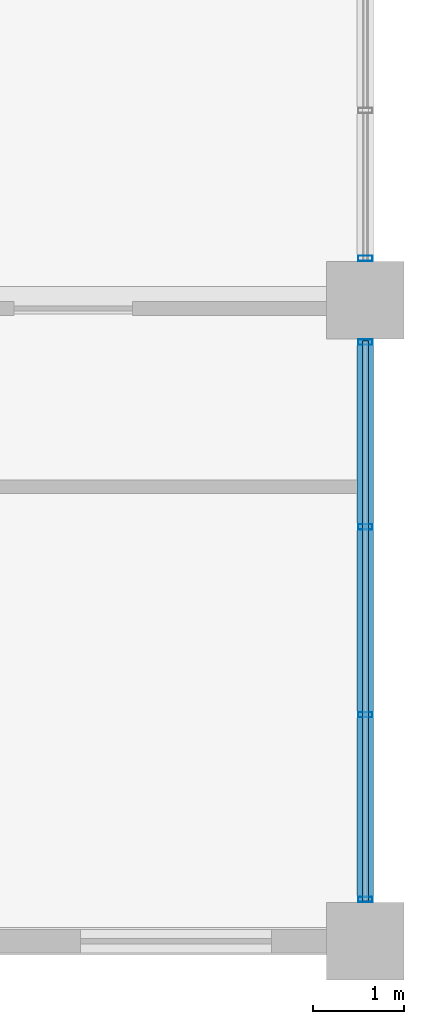
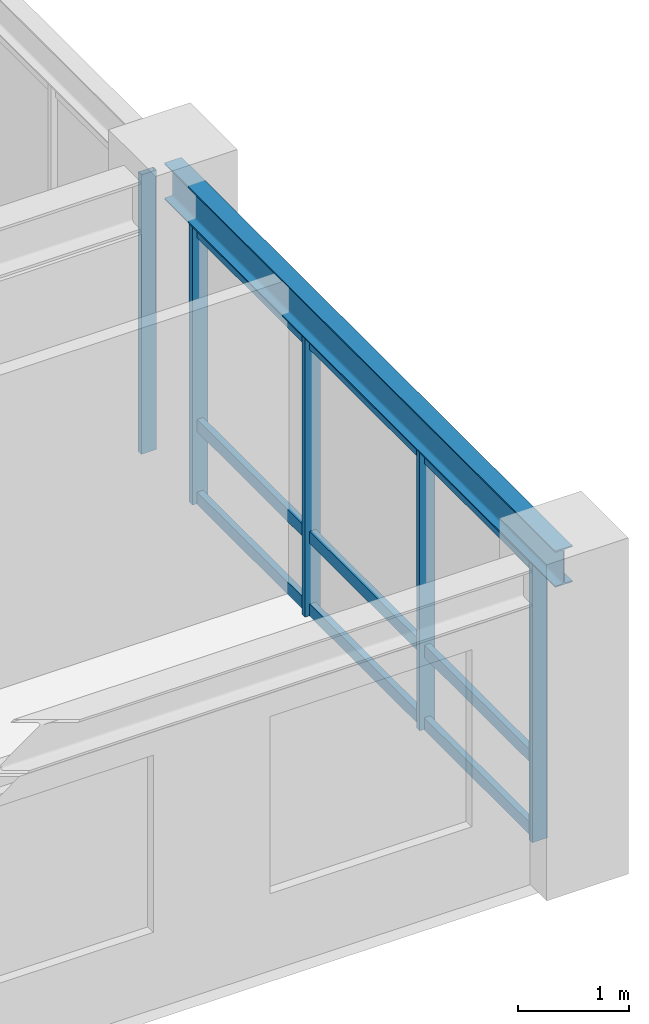
# One storey, part 2 of 11: 8 members, 1 beam, 2 elements without a shape of their own.
"""IFC4 building model written with IfcOpenShell, lengths in metres."""

import ifcopenshell
import ifcopenshell.guid

model = None  # the IFC model being written
_history = None  # IfcOwnerHistory: only IFC2X3 demands one
_inside = {}  # id of a spatial element -> (the spatial element, [elements in it])
_under = {}  # id of a project, library or spatial element -> (it, [spatial elements below it])
_declared = {}  # id of a project -> (the project, [libraries it declares])
_typed = {}  # id of a type object -> (the type object, [elements of that type])
_made_of = {}  # id of a material, layer set ... -> (it, [elements and type objects made of it])


def new_model(schema):
    """Start an empty IFC model of exactly this schema.

    Asked for "IFC4X3", IfcOpenShell would pick the latest addendum, in which some entities
    have other attributes; the version numbers below select the first issue.
    IFC2X3 requires an IfcOwnerHistory on every rooted entity: one is made here for all.
    """
    global model, _history
    if schema == "IFC4X3":
        model = ifcopenshell.file(schema_version=(4, 3, 0, 0))
    else:
        model = ifcopenshell.file(schema=schema)
    _inside.clear()
    _under.clear()
    _declared.clear()
    _typed.clear()
    _made_of.clear()
    _history = None
    if model.schema == "IFC2X3":
        org = make("IfcOrganization", Name="unknown")
        user = make(
            "IfcPersonAndOrganization",
            ThePerson=make("IfcPerson", FamilyName="unknown"),
            TheOrganization=org,
        )
        app = make(
            "IfcApplication",
            ApplicationDeveloper=org,
            Version="unknown",
            ApplicationFullName="unknown",
            ApplicationIdentifier="unknown",
        )
        _history = make(
            "IfcOwnerHistory",
            OwningUser=user,
            OwningApplication=app,
            ChangeAction="ADDED",
            CreationDate=0,
        )
    return model


def make(cls, **values):
    """One entity of the class cls with the attributes given. An attribute that is None is left unset."""
    return model.create_entity(
        cls, **{name: value for name, value in values.items() if value is not None}
    )


def rooted(cls, **values):
    """An entity with a GlobalId (a new one), such as an element, a storey or a relation."""
    return make(cls, GlobalId=ifcopenshell.guid.new(), OwnerHistory=_history, **values)


def si_unit(unit_type, name, prefix=None):
    """IfcSIUnit, for example si_unit("LENGTHUNIT", "METRE", prefix="MILLI")."""
    return make("IfcSIUnit", UnitType=unit_type, Prefix=prefix, Name=name)


def assignment(units):
    """IfcUnitAssignment: the units of a project."""
    return None if units is None else make("IfcUnitAssignment", Units=units)


def point(xyz):
    """IfcCartesianPoint."""
    return None if xyz is None else make("IfcCartesianPoint", Coordinates=xyz)


def direction(xyz):
    """IfcDirection."""
    return None if xyz is None else make("IfcDirection", DirectionRatios=xyz)


def frame(location, z_axis=None, x_axis=None):
    """IfcAxis2Placement3D, a coordinate frame: its origin and axes. An axis left out is left unset."""
    return make(
        "IfcAxis2Placement3D",
        Location=point(location),
        Axis=direction(z_axis),
        RefDirection=direction(x_axis),
    )


def frame_2d(location, x_axis=None):
    """IfcAxis2Placement2D, a coordinate frame in the plane: its origin and x axis."""
    return make(
        "IfcAxis2Placement2D", Location=point(location), RefDirection=direction(x_axis)
    )


def origin():
    """The frame at (0, 0, 0) with its axes left unset."""
    return frame((0.0, 0.0, 0.0))


def origin_2d():
    """The frame at (0, 0) in the plane with its x axis left unset."""
    return frame_2d((0.0, 0.0))


def place(relative_to, where):
    """IfcLocalPlacement: puts the frame where relative to a parent placement (None: the world)."""
    return make(
        "IfcLocalPlacement", PlacementRelTo=relative_to, RelativePlacement=where
    )


def context(
    kind, dimensions, precision=None, world=None, true_north=None, identifier=None
):
    """IfcGeometricRepresentationContext, for example the 3D "Model" context."""
    return make(
        "IfcGeometricRepresentationContext",
        ContextIdentifier=identifier,
        ContextType=kind,
        CoordinateSpaceDimension=dimensions,
        Precision=precision,
        WorldCoordinateSystem=world,
        TrueNorth=true_north,
    )


def subcontext(parent, identifier, kind, view, scale=None):
    """IfcGeometricRepresentationSubContext, for example "Body" below "Model"."""
    return make(
        "IfcGeometricRepresentationSubContext",
        ContextIdentifier=identifier,
        ContextType=kind,
        ParentContext=parent,
        TargetScale=scale,
        TargetView=view,
    )


def project(units=None, contexts=None):
    """IfcProject with its units and contexts."""
    return rooted(
        "IfcProject",
        Name="project",
        RepresentationContexts=contexts,
        UnitsInContext=assignment(units),
    )


def spatial(cls, under=None, at=None, **own):
    """A site, building, storey or space (cls), placed at a placement, below another one or the project."""
    s = rooted(cls, ObjectPlacement=at, **own)
    if under is not None:
        _under.setdefault(under.id(), (under, []))[1].append(s)
    return s


def profile(cls, at=None, kind="AREA", **sizes):
    """A parametric profile (cls). Its sizes go by their IFC names, for example OverallWidth=200.0."""
    return make(cls, ProfileType=kind, Position=at, **sizes)


def hollow_rectangle(**sizes):
    """IfcRectangleHollowProfileDef."""
    return profile("IfcRectangleHollowProfileDef", **sizes)


def i_section(**sizes):
    """IfcIShapeProfileDef."""
    return profile("IfcIShapeProfileDef", **sizes)


def extrude(swept, where, along, depth):
    """IfcExtrudedAreaSolid: the profile swept, set in the frame where, extruded along a direction by depth."""
    return make(
        "IfcExtrudedAreaSolid",
        SweptArea=swept,
        Position=where,
        ExtrudedDirection=direction(along),
        Depth=depth,
    )


def shape(context_of_items, identifier, shape_type, items):
    """IfcShapeRepresentation: the items that make up one representation, for example the "Body"."""
    return make(
        "IfcShapeRepresentation",
        ContextOfItems=context_of_items,
        RepresentationIdentifier=identifier,
        RepresentationType=shape_type,
        Items=items,
    )


def source(mapping_origin, context_of_items, identifier, shape_type, items):
    """IfcRepresentationMap: a shape defined once, which mapped items show again and again."""
    return make(
        "IfcRepresentationMap",
        MappingOrigin=mapping_origin,
        MappedRepresentation=shape(context_of_items, identifier, shape_type, items),
    )


def transform(
    local_origin,
    x_axis=None,
    y_axis=None,
    z_axis=None,
    scale=None,
    scale2=None,
    scale3=None,
    uniform=True,
):
    """IfcCartesianTransformationOperator3D, or its non-uniform kind. x_axis, y_axis, z_axis: its Axis1, 2, 3."""
    if uniform:
        return make(
            "IfcCartesianTransformationOperator3D",
            Axis1=direction(x_axis),
            Axis2=direction(y_axis),
            LocalOrigin=point(local_origin),
            Scale=scale,
            Axis3=direction(z_axis),
        )
    return make(
        "IfcCartesianTransformationOperator3DnonUniform",
        Axis1=direction(x_axis),
        Axis2=direction(y_axis),
        LocalOrigin=point(local_origin),
        Scale=scale,
        Axis3=direction(z_axis),
        Scale2=scale2,
        Scale3=scale3,
    )


def mapped(mapping_source, mapping_target):
    """IfcMappedItem: shows the shape of a source again, moved by a transform."""
    return make(
        "IfcMappedItem", MappingSource=mapping_source, MappingTarget=mapping_target
    )


def material(Name=None, Category=None):
    """IfcMaterial."""
    return make("IfcMaterial", Name=Name, Category=Category)


def layer(
    of_material, thickness, ventilated=None, Name=None, Category=None, Priority=None
):
    """IfcMaterialLayer: one layer of a wall or slab, of a material (None: an air gap)."""
    return make(
        "IfcMaterialLayer",
        Material=of_material,
        LayerThickness=thickness,
        IsVentilated=ventilated,
        Name=Name,
        Category=Category,
        Priority=Priority,
    )


def layer_set(layers, Name=None):
    """IfcMaterialLayerSet."""
    return make("IfcMaterialLayerSet", MaterialLayers=layers, LayerSetName=Name)


def material_profile(
    of_material, cross_section, Name=None, Category=None, Priority=None
):
    """IfcMaterialProfile: a cross section and its material."""
    return make(
        "IfcMaterialProfile",
        Name=Name,
        Material=of_material,
        Profile=cross_section,
        Priority=Priority,
        Category=Category,
    )


def profile_set(profiles, Name=None, composite=None):
    """IfcMaterialProfileSet."""
    return make(
        "IfcMaterialProfileSet",
        Name=Name,
        MaterialProfiles=profiles,
        CompositeProfile=composite,
    )


def made_of(thing, what):
    """Note that an element or type object is made of a material, layer set ...; save() writes the relation."""
    if what is not None:
        _made_of.setdefault(what.id(), (what, []))[1].append(thing)
    return thing


def type_object(cls, material=None, **own):
    """A type object (cls), such as IfcWallType, which elements share."""
    return made_of(rooted(cls, **own), material)


def element(
    cls,
    number,
    at=None,
    inside=None,
    cuts=None,
    type_object=None,
    material=None,
    context=None,
    identifier="Body",
    shape_type=None,
    held_by="IfcProductDefinitionShape",
    body=None,
    shapes=None,
    **own,
):
    """One element of the class cls, such as IfcWall. Its Tag is "e" and its number.

    at: its placement. inside: the storey or other place that contains it. cuts: it is an
    opening in that element (IfcRelVoidsElement). A single representation is given by context,
    identifier, shape_type and body (its items); several are given by shapes. held_by: the class
    of the entity that holds the representations. save() writes the other relations.
    """
    e = rooted(cls, Tag="e%d" % number, ObjectPlacement=at, **own)
    if body is not None:
        shapes = [shape(context, identifier, shape_type, body)]
    if shapes is not None:
        e.Representation = make(held_by, Representations=shapes)
    if inside is not None:
        _inside.setdefault(inside.id(), (inside, []))[1].append(e)
    if cuts is not None:
        rooted(
            "IfcRelVoidsElement", RelatingBuildingElement=cuts, RelatedOpeningElement=e
        )
    if type_object is not None:
        _typed.setdefault(type_object.id(), (type_object, []))[1].append(e)
    return made_of(e, material)


def aggregate(whole, parts):
    """IfcRelAggregates: a whole, such as a stair, and the parts it consists of."""
    return rooted("IfcRelAggregates", RelatingObject=whole, RelatedObjects=parts)


def save(model, path):
    """Write the relations noted so far, then the file.

    IfcRelAggregates (storeys below a building ...), IfcRelContainedInSpatialStructure (elements
    in a storey), IfcRelDefinesByType, IfcRelAssociatesMaterial and IfcRelDeclares: one each for
    every whole, place, type object, material and project.
    """
    for whole, parts in _under.values():
        aggregate(whole, parts)
    for where, things in _inside.values():
        rooted(
            "IfcRelContainedInSpatialStructure",
            RelatedElements=things,
            RelatingStructure=where,
        )
    for kind, things in _typed.values():
        rooted("IfcRelDefinesByType", RelatedObjects=things, RelatingType=kind)
    for what, things in _made_of.values():
        rooted("IfcRelAssociatesMaterial", RelatedObjects=things, RelatingMaterial=what)
    for by, libraries in _declared.values():
        rooted("IfcRelDeclares", RelatingContext=by, RelatedDefinitions=libraries)
    model.write(path)


model = new_model("IFC4")

# Units and contexts
model_context = context("Model", 3, precision=1e-05, world=origin(), true_north=direction((0.0, 1.0)))
body_context = subcontext(model_context, "Body", "Model", "MODEL_VIEW")
ifc_project = project(units=[si_unit("LENGTHUNIT", "METRE"), si_unit("AREAUNIT", "SQUARE_METRE"), si_unit("VOLUMEUNIT", "CUBIC_METRE"), si_unit("PLANEANGLEUNIT", "RADIAN"), si_unit("MASSUNIT", "GRAM", prefix="KILO")], contexts=[model_context])

# Site, building, storey
site_placement = place(None, origin())
site = spatial("IfcSite", under=ifc_project, at=site_placement, CompositionType="ELEMENT")
building_placement = place(site_placement, origin())
building = spatial("IfcBuilding", under=site, at=building_placement, Name="Kaliganga Portal Commons", CompositionType="ELEMENT")
storey_placement = place(building_placement, frame((0.0, 0.0, 257.300048828125)))
storey = spatial("IfcBuildingStorey", under=building, at=storey_placement, Name="L66", CompositionType="ELEMENT", Elevation=257.300048828125)

# Beam
ifc_material_1 = material(Name="Structural steel S355J2", Category="steel")
ifc_material_profile_1 = material_profile(ifc_material_1, i_section(OverallWidth=0.179931640625, OverallDepth=0.39990234375, WebThickness=0.008544921875, FlangeThickness=0.013427734375, FilletRadius=0.02099609375, at=origin_2d()), Name="IPE 400")
ifc_profile_set_1 = profile_set([ifc_material_profile_1], Name="Structural steel S355J2 wide-flange")
beam_type = type_object("IfcBeamType", Name="BM-FLR-400", PredefinedType="BEAM", material=ifc_profile_set_1)
shared_shape_1 = source(origin(), body_context, "Body", "SweptSolid", [
    extrude(i_section(OverallWidth=0.179931640625, OverallDepth=0.39990234375, WebThickness=0.008544921875, FlangeThickness=0.013427734375, FilletRadius=0.02099609375, at=origin_2d()), origin(), (0.0, 0.0, 1.0), 7.0498046875),
])
beam_placement = place(storey_placement, frame((46.800048828125, 21.60009765625, 3.27490234375), z_axis=(0.0, 1.0, 0.0), x_axis=(-1.0, 0.0, 0.0)))
element("IfcBeam", 1, at=beam_placement, inside=storey, type_object=beam_type, Name="BM G L66 AS468", PredefinedType="BEAM", context=body_context, shape_type="MappedRepresentation", body=[
    mapped(shared_shape_1, transform((0.0, 0.0, 0.0), x_axis=(1.0, 0.0, 0.0), y_axis=(0.0, 1.0, 0.0), z_axis=(0.0, 0.0, 1.0), scale=1.0)),
])

# Curtain wall, members
ifc_material_2 = material(Name="Anodized Aluminium and Laminated Low-E Glass", Category="aluminium")
ifc_layer = layer(ifc_material_2, 0.18994140625)
ifc_layer_set = layer_set([ifc_layer], Name="Anodized Aluminium and Laminated Low-E Glass")
curtain_wall_type = type_object("IfcCurtainWallType", Name="CW-SYS-05", PredefinedType="NOTDEFINED", material=ifc_layer_set)
curtain_wall_1_placement = place(storey_placement, origin())
curtain_wall_1 = element("IfcCurtainWall", 2, at=curtain_wall_1_placement, inside=storey, type_object=curtain_wall_type, Name="CW 05 L66 P1E01S1", PredefinedType="NOTDEFINED")
ifc_material_3 = material(Name="Dark Bronze Anodized Aluminium", Category="aluminium")
ifc_material_profile_2 = material_profile(ifc_material_3, hollow_rectangle(XDim=0.06005859375, YDim=0.159912109375, WallThickness=0.00341796875, at=origin_2d()), Name="ALU MULL 60x160x3.5")
ifc_profile_set_2 = profile_set([ifc_material_profile_2], Name="Dark Bronze Anodized Aluminium")
member_type_1 = type_object("IfcMemberType", Name="CW-MUL-160", PredefinedType="MULLION", material=ifc_profile_set_2)
shared_shape_2 = source(origin(), body_context, "Body", "SweptSolid", [
    extrude(hollow_rectangle(XDim=0.06005859375, YDim=0.159912109375, WallThickness=0.00341796875, at=origin_2d()), origin(), (0.0, 0.0, 1.0), 3.074951171875),
])
member_1_placement = place(storey_placement, frame((46.800048828125, 22.06103515625, 0.0), z_axis=(0.0, 0.0, 1.0), x_axis=(0.0, 1.0, 0.0)))
member_1 = element("IfcMember", 3, at=member_1_placement, type_object=member_type_1, Name="CW:05:L66:P1E01S1 Mullion 00", PredefinedType="MULLION", context=body_context, shape_type="MappedRepresentation", body=[
    mapped(shared_shape_2, transform((0.0, 0.0, 0.0), x_axis=(1.0, 0.0, 0.0), y_axis=(0.0, 1.0, 0.0), z_axis=(0.0, 0.0, 1.0), scale=1.0)),
])
member_2_placement = place(storey_placement, frame((46.800048828125, 24.092041015625, 0.0), z_axis=(0.0, 0.0, 1.0), x_axis=(0.0, 1.0, 0.0)))
member_2 = element("IfcMember", 4, at=member_2_placement, type_object=member_type_1, Name="CW:05:L66:P1E01S1 Mullion 01", PredefinedType="MULLION", context=body_context, shape_type="MappedRepresentation", body=[
    mapped(shared_shape_2, transform((0.0, 0.0, 0.0), x_axis=(1.0, 0.0, 0.0), y_axis=(0.0, 1.0, 0.0), z_axis=(0.0, 0.0, 1.0), scale=1.0)),
])
member_3_placement = place(storey_placement, frame((46.800048828125, 26.157958984375, 0.0), z_axis=(0.0, 0.0, 1.0), x_axis=(0.0, 1.0, 0.0)))
member_3 = element("IfcMember", 5, at=member_3_placement, type_object=member_type_1, Name="CW:05:L66:P1E01S1 Mullion 02", PredefinedType="MULLION", context=body_context, shape_type="MappedRepresentation", body=[
    mapped(shared_shape_2, transform((0.0, 0.0, 0.0), x_axis=(1.0, 0.0, 0.0), y_axis=(0.0, 1.0, 0.0), z_axis=(0.0, 0.0, 1.0), scale=1.0)),
])
member_4_placement = place(storey_placement, frame((46.800048828125, 28.18896484375, 0.0), z_axis=(0.0, 0.0, 1.0), x_axis=(0.0, 1.0, 0.0)))
member_4 = element("IfcMember", 6, at=member_4_placement, type_object=member_type_1, Name="CW:05:L66:P1E01S1 Mullion 03", PredefinedType="MULLION", context=body_context, shape_type="MappedRepresentation", body=[
    mapped(shared_shape_2, transform((0.0, 0.0, 0.0), x_axis=(1.0, 0.0, 0.0), y_axis=(0.0, 1.0, 0.0), z_axis=(0.0, 0.0, 1.0), scale=1.0)),
])

# Curtain wall, member
curtain_wall_2_placement = place(storey_placement, origin())
curtain_wall_2 = element("IfcCurtainWall", 7, at=curtain_wall_2_placement, inside=storey, type_object=curtain_wall_type, Name="CW 05 L66 P1E01S2", PredefinedType="NOTDEFINED")
member_5_placement = place(storey_placement, frame((46.800048828125, 29.111083984375, 0.0), z_axis=(0.0, 0.0, 1.0), x_axis=(0.0, 1.0, 0.0)))
member_5 = element("IfcMember", 8, at=member_5_placement, type_object=member_type_1, Name="CW:05:L66:P1E01S2 Mullion 00", PredefinedType="MULLION", context=body_context, shape_type="MappedRepresentation", body=[
    mapped(shared_shape_2, transform((0.0, 0.0, 0.0), x_axis=(1.0, 0.0, 0.0), y_axis=(0.0, 1.0, 0.0), z_axis=(0.0, 0.0, 1.0), scale=1.0)),
])
aggregate(curtain_wall_2, [member_5])

# Member
ifc_material_profile_3 = material_profile(ifc_material_3, hollow_rectangle(XDim=0.06494140625, YDim=0.135009765625, WallThickness=0.00341796875, at=origin_2d()), Name="ALU TRAN 65x135x3.5")
ifc_profile_set_3 = profile_set([ifc_material_profile_3], Name="Dark Bronze Anodized Aluminium")
member_type_2 = type_object("IfcMemberType", Name="CW-TRN-135", PredefinedType="USERDEFINED", material=ifc_profile_set_3)
shared_shape_3 = source(origin(), body_context, "Body", "SweptSolid", [
    extrude(hollow_rectangle(XDim=0.06494140625, YDim=0.135009765625, WallThickness=0.00341796875, at=origin_2d()), origin(), (0.0, 0.0, 1.0), 6.158203125),
])
member_6_placement = place(storey_placement, frame((46.800048828125, 22.0458984375, 0.06005859375), z_axis=(0.0, 1.0, 0.0), x_axis=(-1.0, 0.0, 0.0)))
member_6 = element("IfcMember", 9, at=member_6_placement, type_object=member_type_2, Name="CW:05:L66:P1E01S1 Transom 1", ObjectType="TRANSOM", PredefinedType="USERDEFINED", context=body_context, shape_type="MappedRepresentation", body=[
    mapped(shared_shape_3, transform((0.0, 0.0, 0.0), x_axis=(1.0, 0.0, 0.0), y_axis=(0.0, 1.0, 0.0), z_axis=(0.0, 0.0, 1.0), scale=1.0)),
])

member_7_placement = place(storey_placement, frame((46.800048828125, 22.0458984375, 0.86083984375), z_axis=(0.0, 1.0, 0.0), x_axis=(-1.0, 0.0, 0.0)))
member_7 = element("IfcMember", 10, at=member_7_placement, type_object=member_type_2, Name="CW:05:L66:P1E01S1 Transom 2", ObjectType="TRANSOM", PredefinedType="USERDEFINED", context=body_context, shape_type="MappedRepresentation", body=[
    mapped(shared_shape_3, transform((0.0, 0.0, 0.0), x_axis=(1.0, 0.0, 0.0), y_axis=(0.0, 1.0, 0.0), z_axis=(0.0, 0.0, 1.0), scale=1.0)),
])

member_8_placement = place(storey_placement, frame((46.800048828125, 22.0458984375, 2.994873046875), z_axis=(0.0, 1.0, 0.0), x_axis=(-1.0, 0.0, 0.0)))
member_8 = element("IfcMember", 11, at=member_8_placement, type_object=member_type_2, Name="CW:05:L66:P1E01S1 Transom 3", ObjectType="TRANSOM", PredefinedType="USERDEFINED", context=body_context, shape_type="MappedRepresentation", body=[
    mapped(shared_shape_3, transform((0.0, 0.0, 0.0), x_axis=(1.0, 0.0, 0.0), y_axis=(0.0, 1.0, 0.0), z_axis=(0.0, 0.0, 1.0), scale=1.0)),
])

aggregate(curtain_wall_1, [member_1, member_2, member_3, member_4, member_6, member_7, member_8])

save(model, "model.ifc")
